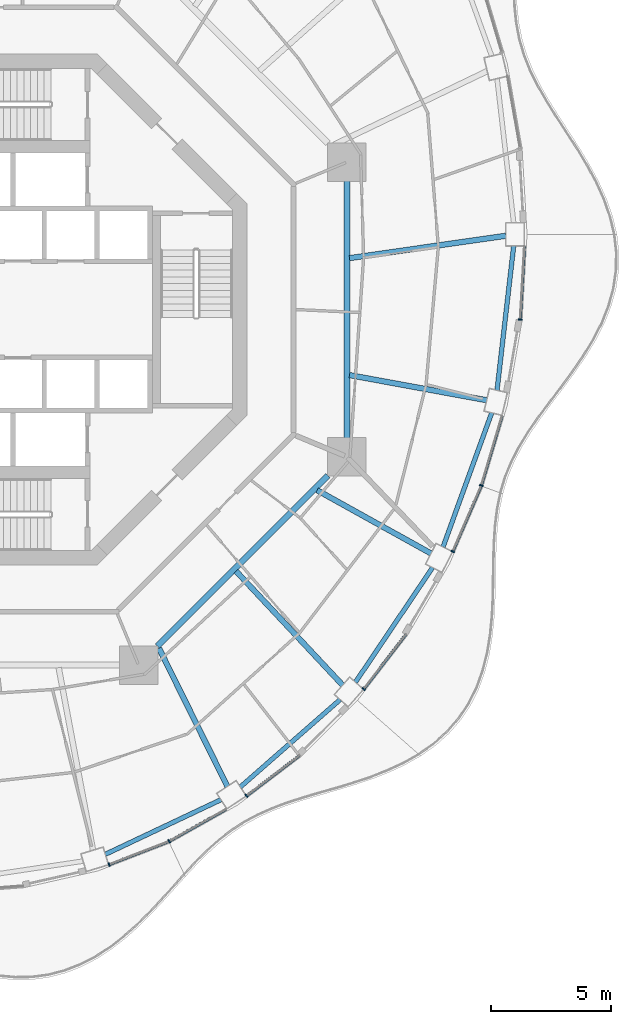
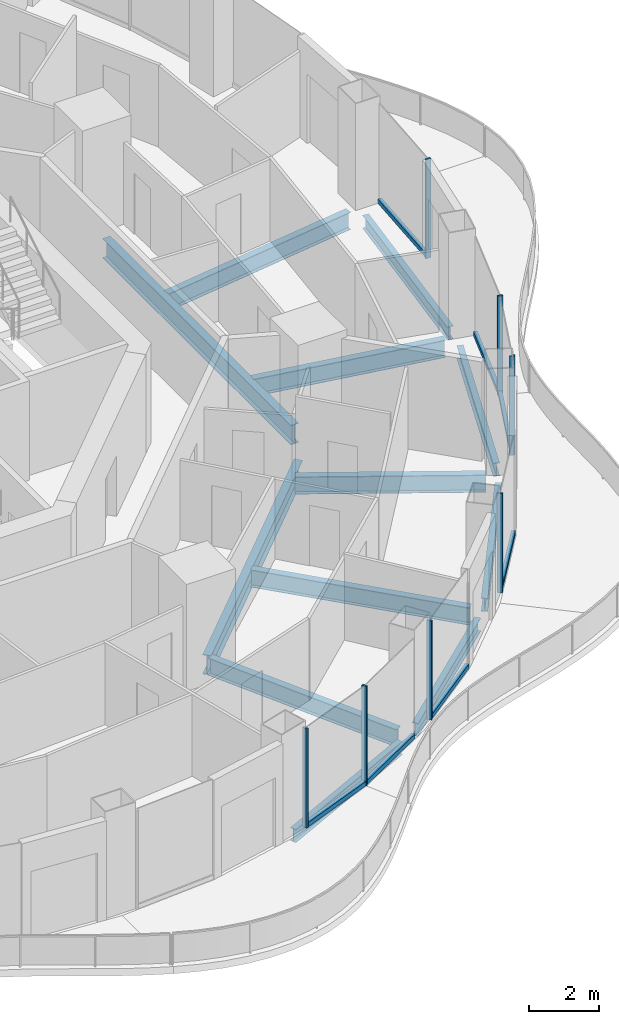
# One storey, part 4 of 18: 14 members, 12 beams, 7 elements without a shape of their own.
"""IFC4 building model written with IfcOpenShell, lengths in metres."""

from ifc_helpers import new_model, si_unit, direction, frame, origin, origin_2d, place, context, subcontext, project, spatial, rectangle, i_section, extrude, material, layer, layer_set, material_profile, profile_set, type_object, element, aggregate, save


model = new_model("IFC4")

# Units and contexts
model_context = context("Model", 3, precision=1e-05, world=origin(), true_north=direction((0.0, 1.0)))
body_context = subcontext(model_context, "Body", "Model", "MODEL_VIEW")
ifc_project = project(units=[si_unit("LENGTHUNIT", "METRE"), si_unit("AREAUNIT", "SQUARE_METRE"), si_unit("VOLUMEUNIT", "CUBIC_METRE"), si_unit("PLANEANGLEUNIT", "RADIAN"), si_unit("MASSUNIT", "GRAM", prefix="KILO")], contexts=[model_context])

# Site, building, storey
site_placement = place(None, origin())
site = spatial("IfcSite", under=ifc_project, at=site_placement, CompositionType="ELEMENT")
building_placement = place(site_placement, origin())
building = spatial("IfcBuilding", under=site, at=building_placement, Name="Nagisa Residences", CompositionType="ELEMENT")
storey_placement = place(building_placement, frame((0.0, 0.0, 241.800048828125)))
storey = spatial("IfcBuildingStorey", under=building, at=storey_placement, Name="L61", CompositionType="ELEMENT", Elevation=241.800048828125)

# Curtain wall, member
ifc_material_1 = material(Name="Concrete-coloured aluminium curtain wall system", Category="concrete")
ifc_layer = layer(ifc_material_1, 0.159912109375)
ifc_layer_set = layer_set([ifc_layer], Name="CW1 CURTAIN WALL")
curtain_wall_type = type_object("IfcCurtainWallType", Name="CW1 CURTAIN WALL", PredefinedType="NOTDEFINED", material=ifc_layer_set)
curtain_wall_1_placement = place(storey_placement, origin())
curtain_wall_1 = element("IfcCurtainWall", 1, at=curtain_wall_1_placement, inside=storey, type_object=curtain_wall_type, Name="cw:CW1:L61:38", PredefinedType="NOTDEFINED")
ifc_material_2 = material(Name="Concrete-coloured aluminium", Category="concrete")
ifc_material_profile_1 = material_profile(ifc_material_2, rectangle(XDim=0.159912109375, YDim=0.06005859375, at=origin_2d()), Name="CW1 MULLION 160x60")
ifc_profile_set_1 = profile_set([ifc_material_profile_1], Name="Concrete-coloured aluminium")
member_type_1 = type_object("IfcMemberType", Name="CW1 MULLION 160x60", PredefinedType="MULLION", material=ifc_profile_set_1)
member_1_placement = place(storey_placement, frame((4.895263671875, -23.073486328125, 0.0), z_axis=(0.0, 0.0, 1.0), x_axis=(-0.360327770268, 0.932825759707, 0.0)))
member_1 = element("IfcMember", 2, at=member_1_placement, type_object=member_type_1, Name="CW1 mullion", PredefinedType="MULLION", context=body_context, shape_type="SweptSolid", body=[
    extrude(rectangle(XDim=0.159912109375, YDim=0.06005859375, at=origin_2d()), origin(), (0.0, 0.0, 1.0), 3.43994140625),
])

curtain_wall_2_placement = place(storey_placement, origin())
curtain_wall_2 = element("IfcCurtainWall", 3, at=curtain_wall_2_placement, inside=storey, type_object=curtain_wall_type, Name="cw:CW1:L61:39", PredefinedType="NOTDEFINED")
member_2_placement = place(storey_placement, frame((7.398193359375, -22.10302734375, 0.0), z_axis=(0.0, 0.0, 1.0), x_axis=(-0.489376918501, 0.872072377523, 0.0)))
member_2 = element("IfcMember", 4, at=member_2_placement, type_object=member_type_1, Name="CW1 mullion", PredefinedType="MULLION", context=body_context, shape_type="SweptSolid", body=[
    extrude(rectangle(XDim=0.159912109375, YDim=0.06005859375, at=origin_2d()), origin(), (0.0, 0.0, 1.0), 3.43994140625),
])

curtain_wall_3_placement = place(storey_placement, origin())
curtain_wall_3 = element("IfcCurtainWall", 5, at=curtain_wall_3_placement, inside=storey, type_object=curtain_wall_type, Name="cw:CW1:L61:40", PredefinedType="NOTDEFINED")
member_3_placement = place(storey_placement, frame((10.6083984375, -20.21826171875, 0.0), z_axis=(0.0, 0.0, 1.0), x_axis=(-0.605255421737, 0.79603132756, 0.0)))
member_3 = element("IfcMember", 6, at=member_3_placement, type_object=member_type_1, Name="CW1 mullion", PredefinedType="MULLION", context=body_context, shape_type="SweptSolid", body=[
    extrude(rectangle(XDim=0.159912109375, YDim=0.06005859375, at=origin_2d()), origin(), (0.0, 0.0, 1.0), 3.43994140625),
])

curtain_wall_4_placement = place(storey_placement, origin())
curtain_wall_4 = element("IfcCurtainWall", 7, at=curtain_wall_4_placement, inside=storey, type_object=curtain_wall_type, Name="cw:CW1:L61:42", PredefinedType="NOTDEFINED")
member_4_placement = place(storey_placement, frame((15.480224609375, -15.78125, 0.0), z_axis=(0.0, 0.0, 1.0), x_axis=(-0.792070340816, 0.610429828235, 0.0)))
member_4 = element("IfcMember", 8, at=member_4_placement, type_object=member_type_1, Name="CW1 mullion", PredefinedType="MULLION", context=body_context, shape_type="SweptSolid", body=[
    extrude(rectangle(XDim=0.159912109375, YDim=0.06005859375, at=origin_2d()), origin(), (0.0, 0.0, 1.0), 3.43994140625),
])

curtain_wall_5_placement = place(storey_placement, origin())
curtain_wall_5 = element("IfcCurtainWall", 9, at=curtain_wall_5_placement, inside=storey, type_object=curtain_wall_type, Name="cw:CW1:L61:44", PredefinedType="NOTDEFINED")
member_5_placement = place(storey_placement, frame((19.1826171875, -10.05908203125, 0.0), z_axis=(0.0, 0.0, 1.0), x_axis=(-0.917543276295, 0.397635934147, 0.0)))
member_5 = element("IfcMember", 10, at=member_5_placement, type_object=member_type_1, Name="CW1 mullion", PredefinedType="MULLION", context=body_context, shape_type="SweptSolid", body=[
    extrude(rectangle(XDim=0.159912109375, YDim=0.06005859375, at=origin_2d()), origin(), (0.0, 0.0, 1.0), 3.43994140625),
])

curtain_wall_6_placement = place(storey_placement, origin())
curtain_wall_6 = element("IfcCurtainWall", 11, at=curtain_wall_6_placement, inside=storey, type_object=curtain_wall_type, Name="cw:CW1:L61:45", PredefinedType="NOTDEFINED")
member_6_placement = place(storey_placement, frame((20.36962890625, -7.3125, 0.0), z_axis=(0.0, 0.0, 1.0), x_axis=(-0.958271310082, 0.285860274038, 0.0)))
member_6 = element("IfcMember", 12, at=member_6_placement, type_object=member_type_1, Name="CW1 mullion", PredefinedType="MULLION", context=body_context, shape_type="SweptSolid", body=[
    extrude(rectangle(XDim=0.159912109375, YDim=0.06005859375, at=origin_2d()), origin(), (0.0, 0.0, 1.0), 3.43994140625),
])

curtain_wall_7_placement = place(storey_placement, origin())
curtain_wall_7 = element("IfcCurtainWall", 13, at=curtain_wall_7_placement, inside=storey, type_object=curtain_wall_type, Name="cw:CW1:L61:47", PredefinedType="NOTDEFINED")
member_7_placement = place(storey_placement, frame((21.98583984375, -0.4228515625, 0.0), z_axis=(0.0, 0.0, 1.0), x_axis=(-0.998345305184, 0.057503492216, 0.0)))
member_7 = element("IfcMember", 14, at=member_7_placement, type_object=member_type_1, Name="CW1 mullion", PredefinedType="MULLION", context=body_context, shape_type="SweptSolid", body=[
    extrude(rectangle(XDim=0.159912109375, YDim=0.06005859375, at=origin_2d()), origin(), (0.0, 0.0, 1.0), 3.43994140625),
])

# Member
ifc_material_3 = material(Name="Concrete-coloured aluminium", Category="concrete")
ifc_material_profile_2 = material_profile(ifc_material_3, rectangle(XDim=0.1201171875, YDim=0.14990234375, at=origin_2d()), Name="CW1 TRANSOM 120x150")
ifc_profile_set_2 = profile_set([ifc_material_profile_2], Name="Concrete-coloured aluminium")
member_type_2 = type_object("IfcMemberType", Name="CW1 TRANSOM 120x150", PredefinedType="USERDEFINED", material=ifc_profile_set_2)
member_8_placement = place(storey_placement, frame((4.867431640625, -23.084228515625, 0.074951171875), z_axis=(0.932826499224, 0.360325855782, 0.0), x_axis=(-0.360325855782, 0.932826499224, 0.0)))
member_8 = element("IfcMember", 15, at=member_8_placement, type_object=member_type_2, Name="CW1 transom", ObjectType="TRANSOM", PredefinedType="USERDEFINED", context=body_context, shape_type="SweptSolid", body=[
    extrude(rectangle(XDim=0.1201171875, YDim=0.14990234375, at=origin_2d()), origin(), (0.0, 0.0, 1.0), 2.696044921875),
])

aggregate(curtain_wall_1, [member_1, member_8])

member_9_placement = place(storey_placement, frame((7.3720703125, -22.11767578125, 0.074951171875), z_axis=(0.872041873719, 0.489431272479, 0.0), x_axis=(-0.489431272479, 0.872041873719, 0.0)))
member_9 = element("IfcMember", 16, at=member_9_placement, type_object=member_type_2, Name="CW1 transom", ObjectType="TRANSOM", PredefinedType="USERDEFINED", context=body_context, shape_type="SweptSolid", body=[
    extrude(rectangle(XDim=0.1201171875, YDim=0.14990234375, at=origin_2d()), origin(), (0.0, 0.0, 1.0), 2.738037109375),
])

aggregate(curtain_wall_2, [member_2, member_9])

member_10_placement = place(storey_placement, frame((10.584716796875, -20.236328125, 0.074951171875), z_axis=(0.796032266948, 0.605254186253, 0.0), x_axis=(-0.605254186253, 0.796032266948, 0.0)))
member_10 = element("IfcMember", 17, at=member_10_placement, type_object=member_type_2, Name="CW1 transom", ObjectType="TRANSOM", PredefinedType="USERDEFINED", context=body_context, shape_type="SweptSolid", body=[
    extrude(rectangle(XDim=0.1201171875, YDim=0.14990234375, at=origin_2d()), origin(), (0.0, 0.0, 1.0), 2.78857421875),
])

aggregate(curtain_wall_3, [member_3, member_10])

member_11_placement = place(storey_placement, frame((15.4619140625, -15.80517578125, 0.074951171875), z_axis=(0.610438565676, 0.792063607001, 0.0), x_axis=(-0.792063607001, 0.610438565676, 0.0)))
member_11 = element("IfcMember", 18, at=member_11_placement, type_object=member_type_2, Name="CW1 transom", ObjectType="TRANSOM", PredefinedType="USERDEFINED", context=body_context, shape_type="SweptSolid", body=[
    extrude(rectangle(XDim=0.1201171875, YDim=0.14990234375, at=origin_2d()), origin(), (0.0, 0.0, 1.0), 2.90087890625),
])

aggregate(curtain_wall_4, [member_4, member_11])

member_12_placement = place(storey_placement, frame((19.170654296875, -10.086669921875, 0.074951171875), z_axis=(0.397616567135, 0.917551669139, 0.0), x_axis=(-0.917551669139, 0.397616567135, 0.0)))
member_12 = element("IfcMember", 19, at=member_12_placement, type_object=member_type_2, Name="CW1 transom", ObjectType="TRANSOM", PredefinedType="USERDEFINED", context=body_context, shape_type="SweptSolid", body=[
    extrude(rectangle(XDim=0.1201171875, YDim=0.14990234375, at=origin_2d()), origin(), (0.0, 0.0, 1.0), 3.001953125),
])

aggregate(curtain_wall_5, [member_5, member_12])

member_13_placement = place(storey_placement, frame((20.361083984375, -7.341064453125, 0.074951171875), z_axis=(0.285881452443, 0.958264992134, 0.0), x_axis=(-0.958264992134, 0.285881452443, 0.0)))
member_13 = element("IfcMember", 20, at=member_13_placement, type_object=member_type_2, Name="CW1 transom", ObjectType="TRANSOM", PredefinedType="USERDEFINED", context=body_context, shape_type="SweptSolid", body=[
    extrude(rectangle(XDim=0.1201171875, YDim=0.14990234375, at=origin_2d()), origin(), (0.0, 0.0, 1.0), 3.040283203125),
])

aggregate(curtain_wall_6, [member_6, member_13])

member_14_placement = place(storey_placement, frame((21.984130859375, -0.452880859375, 0.074951171875), z_axis=(0.057528189427, 0.998343882348, 0.0), x_axis=(-0.998343882348, 0.057528189427, 0.0)))
member_14 = element("IfcMember", 21, at=member_14_placement, type_object=member_type_2, Name="CW1 transom", ObjectType="TRANSOM", PredefinedType="USERDEFINED", context=body_context, shape_type="SweptSolid", body=[
    extrude(rectangle(XDim=0.1201171875, YDim=0.14990234375, at=origin_2d()), origin(), (0.0, 0.0, 1.0), 3.0810546875),
])

aggregate(curtain_wall_7, [member_7, member_14])

# Beams
ifc_material_4 = material(Name="Steel ASTM A572 Gr 50", Category="steel")
ifc_material_profile_3 = material_profile(ifc_material_4, i_section(OverallWidth=0.2529296875, OverallDepth=0.677978515625, WebThickness=0.01171875, FlangeThickness=0.016357421875, at=origin_2d()), Name="W690x125")
ifc_profile_set_3 = profile_set([ifc_material_profile_3], Name="Steel ASTM A572 Gr 50")
beam_type_1 = type_object("IfcBeamType", Name="Inner ring beam W690x125", PredefinedType="BEAM", material=ifc_profile_set_3)
beam_1_placement = place(storey_placement, frame((6.90869140625, -13.99609375, -0.59912109375), z_axis=(0.707106781187, 0.707106781187, 0.0), x_axis=(-0.707106781187, 0.707106781187, 0.0)))
element("IfcBeam", 22, at=beam_1_placement, inside=storey, type_object=beam_type_1, Name="beam:L61:ib7", PredefinedType="BEAM", context=body_context, shape_type="SweptSolid", body=[
    extrude(i_section(OverallWidth=0.2529296875, OverallDepth=0.677978515625, WebThickness=0.01171875, FlangeThickness=0.016357421875, at=origin_2d()), origin(), (0.0, 0.0, 1.0), 10.023193359375),
])
beam_2_placement = place(storey_placement, frame((14.781982421875, -5.343017578125, -0.59912109375), z_axis=(0.0, 1.0, 0.0), x_axis=(-1.0, 0.0, 0.0)))
element("IfcBeam", 23, at=beam_2_placement, inside=storey, type_object=beam_type_1, Name="beam:L61:ib8", PredefinedType="BEAM", context=body_context, shape_type="SweptSolid", body=[
    extrude(i_section(OverallWidth=0.2529296875, OverallDepth=0.677978515625, WebThickness=0.01171875, FlangeThickness=0.016357421875, at=origin_2d()), origin(), (0.0, 0.0, 1.0), 10.68603515625),
])
ifc_material_5 = material(Name="Steel ASTM A572 Gr 50", Category="steel")
ifc_material_profile_4 = material_profile(ifc_material_5, i_section(OverallWidth=0.18994140625, OverallDepth=0.45703125, WebThickness=0.009033203125, FlangeThickness=0.014404296875, at=origin_2d()), Name="W460x74")
ifc_profile_set_4 = profile_set([ifc_material_profile_4], Name="Steel ASTM A572 Gr 50")
beam_type_2 = type_object("IfcBeamType", Name="Perimeter ring beam W460x74", PredefinedType="BEAM", material=ifc_profile_set_4)
beam_3_placement = place(storey_placement, frame((4.7392578125, -22.648681640625, -0.488525390625), z_axis=(0.904133867308, 0.42724928319, 0.0), x_axis=(-0.42724928319, 0.904133867308, 0.0)))
element("IfcBeam", 24, at=beam_3_placement, inside=storey, type_object=beam_type_2, Name="beam:L61:pb20", PredefinedType="BEAM", context=body_context, shape_type="SweptSolid", body=[
    extrude(i_section(OverallWidth=0.18994140625, OverallDepth=0.45703125, WebThickness=0.009033203125, FlangeThickness=0.014404296875, at=origin_2d()), origin(), (0.0, 0.0, 1.0), 5.317138671875),
])
beam_4_placement = place(storey_placement, frame((10.349853515625, -19.850341796875, -0.488525390625), z_axis=(0.75242320672, 0.65867998147, 0.0), x_axis=(-0.65867998147, 0.75242320672, 0.0)))
element("IfcBeam", 25, at=beam_4_placement, inside=storey, type_object=beam_type_2, Name="beam:L61:pb21", PredefinedType="BEAM", context=body_context, shape_type="SweptSolid", body=[
    extrude(i_section(OverallWidth=0.18994140625, OverallDepth=0.45703125, WebThickness=0.009033203125, FlangeThickness=0.014404296875, at=origin_2d()), origin(), (0.0, 0.0, 1.0), 5.5185546875),
])
beam_5_placement = place(storey_placement, frame((15.13671875, -15.49462890625, -0.488525390625), z_axis=(0.558109119402, 0.829767564345, 0.0), x_axis=(-0.829767564345, 0.558109119402, 0.0)))
element("IfcBeam", 26, at=beam_5_placement, inside=storey, type_object=beam_type_2, Name="beam:L61:pb22", PredefinedType="BEAM", context=body_context, shape_type="SweptSolid", body=[
    extrude(i_section(OverallWidth=0.18994140625, OverallDepth=0.45703125, WebThickness=0.009033203125, FlangeThickness=0.014404296875, at=origin_2d()), origin(), (0.0, 0.0, 1.0), 5.74365234375),
])
beam_6_placement = place(storey_placement, frame((18.77734375, -9.87255859375, -0.488525390625), z_axis=(0.341290329164, 0.939957930558, 0.0), x_axis=(-0.939957930558, 0.341290329164, 0.0)))
element("IfcBeam", 27, at=beam_6_placement, inside=storey, type_object=beam_type_2, Name="beam:L61:pb23", PredefinedType="BEAM", context=body_context, shape_type="SweptSolid", body=[
    extrude(i_section(OverallWidth=0.18994140625, OverallDepth=0.45703125, WebThickness=0.009033203125, FlangeThickness=0.014404296875, at=origin_2d()), origin(), (0.0, 0.0, 1.0), 5.932373046875),
])
beam_7_placement = place(storey_placement, frame((21.022216796875, -3.36181640625, -0.488525390625), z_axis=(0.114650193512, 0.993405925656, 0.0), x_axis=(-0.993405925656, 0.114650193512, 0.0)))
element("IfcBeam", 28, at=beam_7_placement, inside=storey, type_object=beam_type_2, Name="beam:L61:pb24", PredefinedType="BEAM", context=body_context, shape_type="SweptSolid", body=[
    extrude(i_section(OverallWidth=0.18994140625, OverallDepth=0.45703125, WebThickness=0.009033203125, FlangeThickness=0.014404296875, at=origin_2d()), origin(), (0.0, 0.0, 1.0), 6.0390625),
])
ifc_material_6 = material(Name="Steel ASTM A572 Gr 50", Category="steel")
ifc_material_profile_5 = material_profile(ifc_material_6, i_section(OverallWidth=0.22802734375, OverallDepth=0.60302734375, WebThickness=0.010498046875, FlangeThickness=0.014892578125, at=origin_2d()), Name="W610x101")
ifc_profile_set_5 = profile_set([ifc_material_profile_5], Name="Steel ASTM A572 Gr 50")
beam_type_3 = type_object("IfcBeamType", Name="Radial beam W610x101", PredefinedType="BEAM", material=ifc_profile_set_5)
beam_8_placement = place(storey_placement, frame((21.389892578125, 3.063232421875, -0.5615234375), z_axis=(-0.989903345459, -0.141744018034, 0.0), x_axis=(0.141744018034, -0.989903345459, 0.0)))
element("IfcBeam", 29, at=beam_8_placement, inside=storey, type_object=beam_type_3, Name="beam:L61:rb01", PredefinedType="BEAM", context=body_context, shape_type="SweptSolid", body=[
    extrude(i_section(OverallWidth=0.22802734375, OverallDepth=0.60302734375, WebThickness=0.010498046875, FlangeThickness=0.014892578125, at=origin_2d()), origin(), (0.0, 0.0, 1.0), 6.567626953125),
])
beam_9_placement = place(storey_placement, frame((9.815185546875, -19.826416015625, -0.5615234375), z_axis=(-0.443658666969, 0.896195842003, 0.0), x_axis=(-0.896195842003, -0.443658666969, 0.0)))
element("IfcBeam", 30, at=beam_9_placement, inside=storey, type_object=beam_type_3, Name="beam:L61:rb21", PredefinedType="BEAM", context=body_context, shape_type="SweptSolid", body=[
    extrude(i_section(OverallWidth=0.22802734375, OverallDepth=0.60302734375, WebThickness=0.010498046875, FlangeThickness=0.014892578125, at=origin_2d()), origin(), (0.0, 0.0, 1.0), 6.406982421875),
])
beam_10_placement = place(storey_placement, frame((14.605712890625, -15.617431640625, -0.5615234375), z_axis=(-0.683072943543, 0.730350158349, 0.0), x_axis=(-0.730350158349, -0.683072943543, 0.0)))
element("IfcBeam", 31, at=beam_10_placement, inside=storey, type_object=beam_type_3, Name="beam:L61:rb22", PredefinedType="BEAM", context=body_context, shape_type="SweptSolid", body=[
    extrude(i_section(OverallWidth=0.22802734375, OverallDepth=0.60302734375, WebThickness=0.010498046875, FlangeThickness=0.014892578125, at=origin_2d()), origin(), (0.0, 0.0, 1.0), 6.486083984375),
])
beam_11_placement = place(storey_placement, frame((18.27978515625, -10.142822265625, -0.5615234375), z_axis=(-0.874405859214, 0.485195211614, 0.0), x_axis=(-0.485195211614, -0.874405859214, 0.0)))
element("IfcBeam", 32, at=beam_11_placement, inside=storey, type_object=beam_type_3, Name="beam:L61:rb23", PredefinedType="BEAM", context=body_context, shape_type="SweptSolid", body=[
    extrude(i_section(OverallWidth=0.22802734375, OverallDepth=0.60302734375, WebThickness=0.010498046875, FlangeThickness=0.014892578125, at=origin_2d()), origin(), (0.0, 0.0, 1.0), 5.417724609375),
])
beam_12_placement = place(storey_placement, frame((20.592529296875, -3.7734375, -0.5615234375), z_axis=(-0.983621738755, 0.180245041675, 0.0), x_axis=(-0.180245041675, -0.983621738755, 0.0)))
element("IfcBeam", 33, at=beam_12_placement, inside=storey, type_object=beam_type_3, Name="beam:L61:rb24", PredefinedType="BEAM", context=body_context, shape_type="SweptSolid", body=[
    extrude(i_section(OverallWidth=0.22802734375, OverallDepth=0.60302734375, WebThickness=0.010498046875, FlangeThickness=0.014892578125, at=origin_2d()), origin(), (0.0, 0.0, 1.0), 5.798583984375),
])

save(model, "model.ifc")
